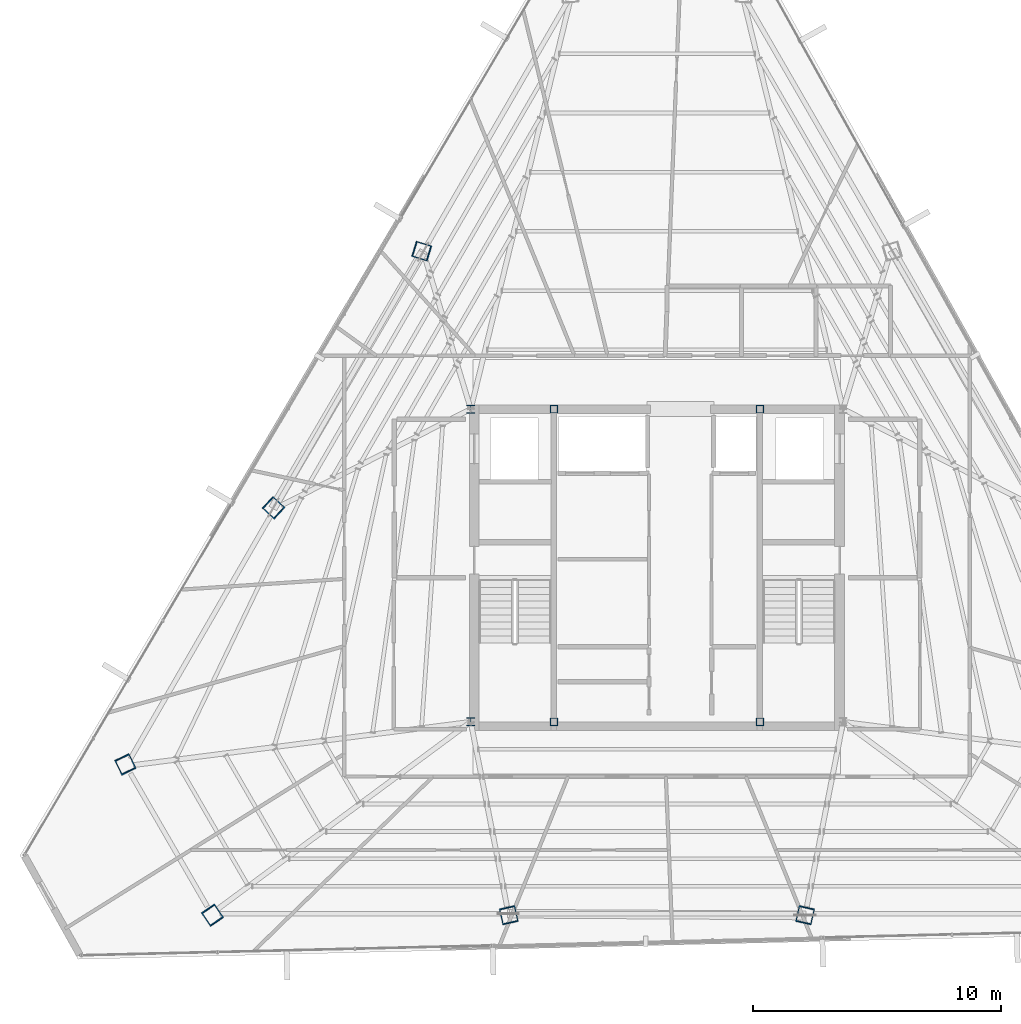
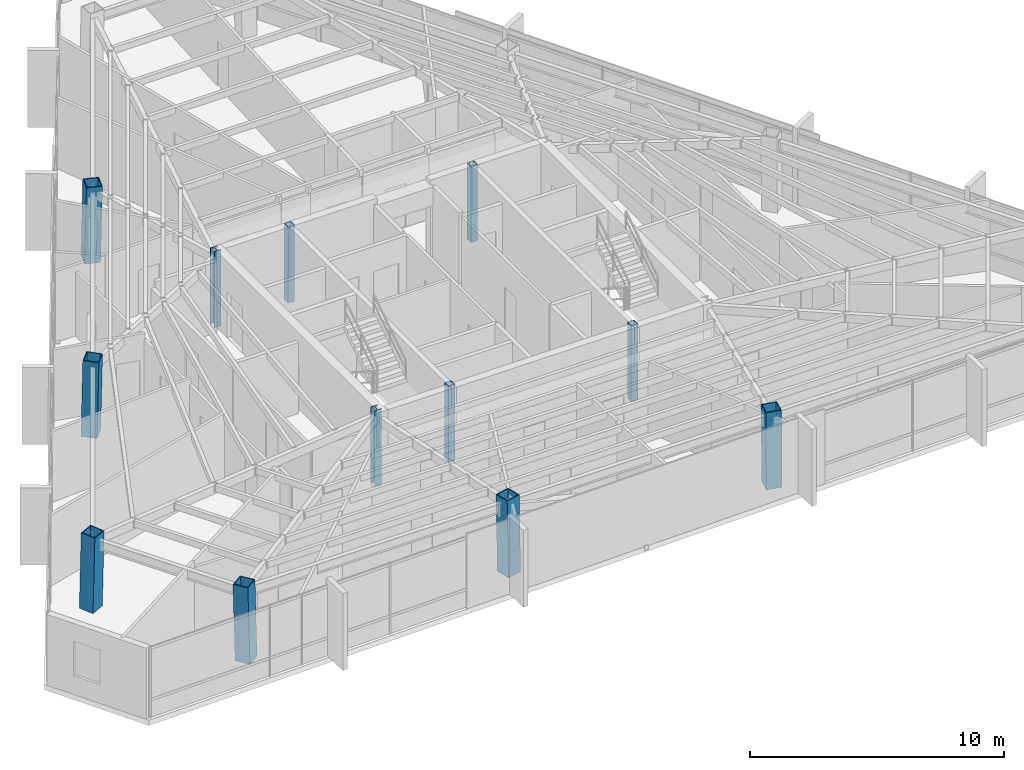
# One storey, part 1 of 48: 12 columns.
"""IFC4 building model written with IfcOpenShell, lengths in metres."""

from ifc_helpers import new_model, si_unit, direction, frame, origin, origin_2d, place, context, subcontext, project, spatial, hollow_rectangle, i_section, extrude, source, transform, mapped, material, material_profile, profile_set, type_object, type_shapes, element, save


model = new_model("IFC4")

# Units and contexts
model_context = context("Model", 3, precision=1e-05, world=origin(), true_north=direction((0.0, 1.0)))
body_context = subcontext(model_context, "Body", "Model", "MODEL_VIEW")
ifc_project = project(units=[si_unit("LENGTHUNIT", "METRE"), si_unit("AREAUNIT", "SQUARE_METRE"), si_unit("VOLUMEUNIT", "CUBIC_METRE"), si_unit("PLANEANGLEUNIT", "RADIAN"), si_unit("MASSUNIT", "GRAM", prefix="KILO")], contexts=[model_context])

# Site, building, storey
site_placement = place(None, origin())
site = spatial("IfcSite", under=ifc_project, at=site_placement, CompositionType="ELEMENT")
building_placement = place(site_placement, origin())
building = spatial("IfcBuilding", under=site, at=building_placement, Name="Caelisora Broadcast Tower", CompositionType="ELEMENT")
storey_placement = place(building_placement, frame((0.0, 0.0, 270.0)))
storey = spatial("IfcBuildingStorey", under=building, at=storey_placement, Name="L71", CompositionType="ELEMENT", Elevation=270.0)

# Columns
ifc_material_1 = material(Name="Steel Grade 350 (AS/NZS 3679.1)", Category="steel")
ifc_material_profile_1 = material_profile(ifc_material_1, i_section(OverallWidth=0.31103515625, OverallDepth=0.3271484375, WebThickness=0.015625, FlangeThickness=0.02490234375, at=origin_2d()), Name="Steel Grade 350 (AS/NZS 3679.1)")
ifc_profile_set_1 = profile_set([ifc_material_profile_1], Name="Steel Grade 350 (AS/NZS 3679.1)")
column_type_1 = type_object("IfcColumnType", Name="CC03", PredefinedType="COLUMN", material=ifc_profile_set_1)
shared_shape_1 = source(origin(), body_context, "Body", "SweptSolid", [
    extrude(i_section(OverallWidth=0.31103515625, OverallDepth=0.3271484375, WebThickness=0.015625, FlangeThickness=0.02490234375, at=origin_2d()), origin(), (0.0, 0.0, 1.0), 3.64990234375),
])
type_shapes(column_type_1, [shared_shape_1])
for number, where, z_axis, x_axis, name in (
    (1, (30.5, 17.39990234375, 0.0), (0.0, 0.0, 1.0), (1.0, 0.0, 0.0), "L71 column CC03"),
    (2, (30.5, 30.0, 0.0), (0.0, 0.0, 1.0), (1.0, 0.0, 0.0), "L71 column CC03"),
):
    element("IfcColumn", number, at=place(storey_placement, frame(where, z_axis=z_axis, x_axis=x_axis)), inside=storey, type_object=column_type_1, Name=name, PredefinedType="COLUMN", context=body_context, shape_type="MappedRepresentation", body=[
        mapped(shared_shape_1, transform((0.0, 0.0, 0.0), scale=1.0)),
    ])
ifc_material_2 = material(Name="Steel Grade 350 L15 (AS/NZS 3678)", Category="steel")
ifc_material_profile_2 = material_profile(ifc_material_2, hollow_rectangle(XDim=0.64990234375, YDim=0.64990234375, WallThickness=0.0400390625, at=origin_2d()), Name="Steel Grade 350 L15 (AS/NZS 3678)")
ifc_profile_set_2 = profile_set([ifc_material_profile_2], Name="Steel Grade 350 L15 (AS/NZS 3678)")
column_type_2 = type_object("IfcColumnType", Name="MC06", PredefinedType="COLUMN", material=ifc_profile_set_2)
shared_shape_2 = source(origin(), body_context, "Body", "SweptSolid", [
    extrude(hollow_rectangle(XDim=0.64990234375, YDim=0.64990234375, WallThickness=0.0400390625, at=origin_2d()), origin(), (0.0, 0.0, 1.0), 3.65087890625),
])
for number, where, z_axis, x_axis, name in (
    (3, (16.581787109375, 15.7001953125, 0.0), (0.010431780378, -0.021599135014, 0.999712286273), (0.900476348161, 0.434904985489, 0.0), "L71 column MC06"),
    (4, (20.10302734375, 9.601318359375, 0.0), (-0.013507825582, 0.019793645407, 0.999712833893), (-0.825991119814, -0.563683129062, 0.0), "L71 column MC06"),
):
    element("IfcColumn", number, at=place(storey_placement, frame(where, z_axis=z_axis, x_axis=x_axis)), inside=storey, type_object=column_type_2, Name=name, PredefinedType="COLUMN", context=body_context, shape_type="MappedRepresentation", body=[
        mapped(shared_shape_2, transform((0.0, 0.0, 0.0), scale=1.0)),
    ])
shared_shape_3 = source(origin(), body_context, "Body", "SweptSolid", [
    extrude(hollow_rectangle(XDim=0.64990234375, YDim=0.64990234375, WallThickness=0.0400390625, at=origin_2d()), origin(), (0.0, 0.0, 1.0), 3.650634765625),
])
type_shapes(column_type_2, [shared_shape_2, shared_shape_3])
for number, where, z_axis, x_axis, name in (
    (5, (28.51318359375, 36.36572265625, 0.0), (0.019393993486, -0.006018825565, 0.999793802119), (0.296399214872, 0.955064136811, 0.0), "L71 column MC06"),
    (6, (22.547607421875, 26.032958984375, 0.0), (0.014913313399, -0.013776424037, 0.999793880369), (0.678553674548, 0.734550822447, 0.0), "L71 column MC06"),
    (7, (32.0341796875, 9.601318359375, 0.0), (-0.004480682206, 0.019795252729, 0.999794014513), (-0.975326687046, -0.220766513622, 0.0), "L71 column MC06"),
    (8, (43.9658203125, 9.601318359375, 0.0), (0.004480682206, 0.019795252729, 0.999794014513), (-0.975326687046, 0.220766513622, 0.0), "L71 column MC06"),
):
    element("IfcColumn", number, at=place(storey_placement, frame(where, z_axis=z_axis, x_axis=x_axis)), inside=storey, type_object=column_type_2, Name=name, PredefinedType="COLUMN", context=body_context, shape_type="MappedRepresentation", body=[
        mapped(shared_shape_3, transform((0.0, 0.0, 0.0), scale=1.0)),
    ])
ifc_material_3 = material(Name="Steel Grade 350 (AS/NZS 1163 C350L0)", Category="steel")
ifc_material_profile_3 = material_profile(ifc_material_3, hollow_rectangle(XDim=0.300048828125, YDim=0.300048828125, WallThickness=0.012451171875, at=origin_2d()), Name="Steel Grade 350 (AS/NZS 1163 C350L0)")
ifc_profile_set_3 = profile_set([ifc_material_profile_3], Name="Steel Grade 350 (AS/NZS 1163 C350L0)")
column_type_3 = type_object("IfcColumnType", Name="CC08", PredefinedType="COLUMN", material=ifc_profile_set_3)
shared_shape_4 = source(origin(), body_context, "Body", "SweptSolid", [
    extrude(hollow_rectangle(XDim=0.300048828125, YDim=0.300048828125, WallThickness=0.012451171875, at=origin_2d()), origin(), (0.0, 0.0, 1.0), 3.64990234375),
])
type_shapes(column_type_3, [shared_shape_4])
for number, where, z_axis, x_axis, name in (
    (9, (33.85009765625, 17.39990234375, 0.0), (0.0, 0.0, 1.0), (1.0, 0.0, 0.0), "L71 column CC08"),
    (10, (42.14990234375, 17.39990234375, 0.0), (0.0, 0.0, 1.0), (1.0, 0.0, 0.0), "L71 column CC08"),
    (11, (33.85009765625, 30.0, 0.0), (0.0, 0.0, 1.0), (1.0, 0.0, 0.0), "L71 column CC08"),
    (12, (42.14990234375, 30.0, 0.0), (0.0, 0.0, 1.0), (1.0, 0.0, 0.0), "L71 column CC08"),
):
    element("IfcColumn", number, at=place(storey_placement, frame(where, z_axis=z_axis, x_axis=x_axis)), inside=storey, type_object=column_type_3, Name=name, PredefinedType="COLUMN", context=body_context, shape_type="MappedRepresentation", body=[
        mapped(shared_shape_4, transform((0.0, 0.0, 0.0), scale=1.0)),
    ])

save(model, "model.ifc")
